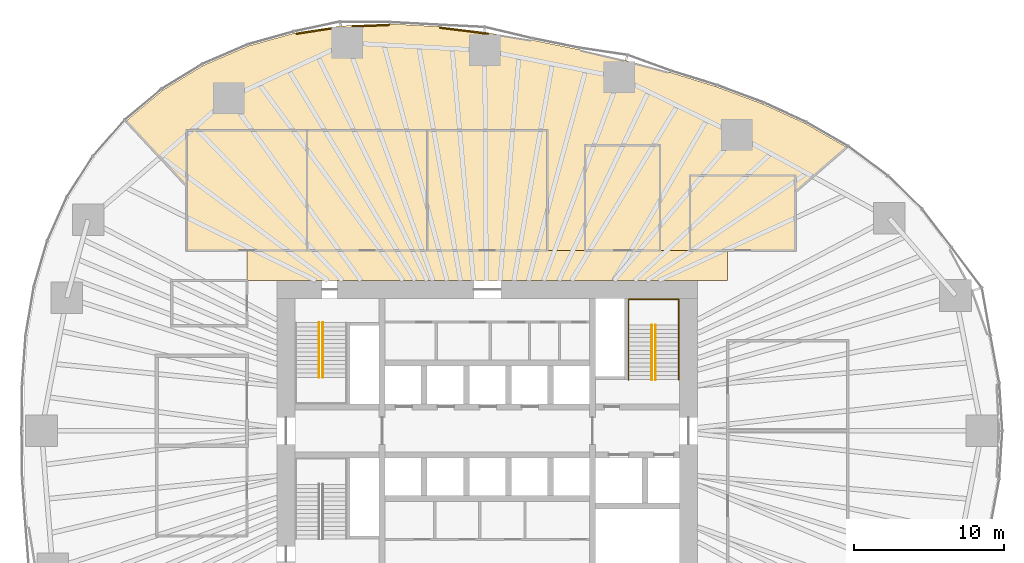
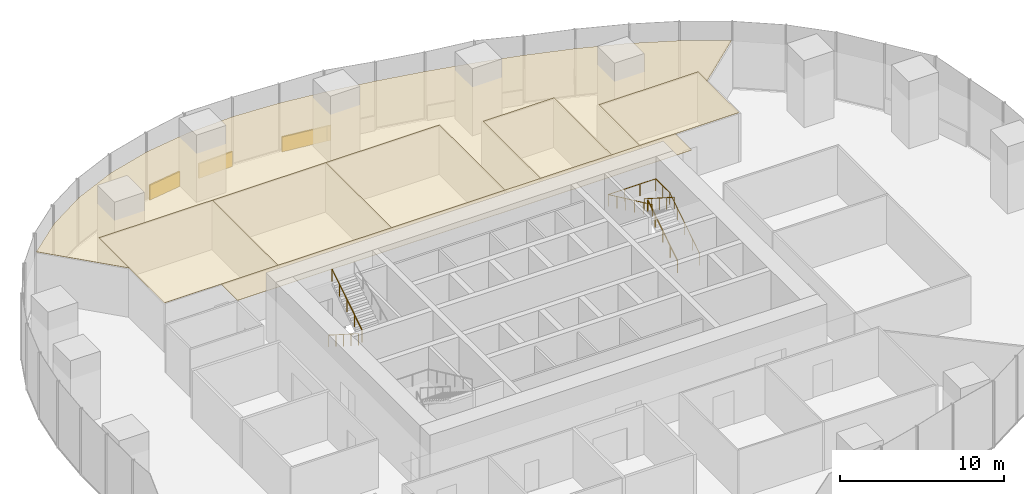
# One storey, part 19 of 20: 11 coverings, 5 railings.
"""IFC4 building model written with IfcOpenShell, lengths in metres."""

from ifc_helpers import new_model, si_unit, direction, frame, origin, origin_2d, place, context, subcontext, project, spatial, polyline, rectangle, circle, outline, extrude, material, layer, layer_set, type_object, element, save


model = new_model("IFC4")

# Units and contexts
model_context = context("Model", 3, precision=1e-05, world=origin(), true_north=direction((0.0, 1.0)))
body_context = subcontext(model_context, "Body", "Model", "MODEL_VIEW")
ifc_project = project(units=[si_unit("LENGTHUNIT", "METRE"), si_unit("AREAUNIT", "SQUARE_METRE"), si_unit("VOLUMEUNIT", "CUBIC_METRE"), si_unit("PLANEANGLEUNIT", "RADIAN"), si_unit("MASSUNIT", "GRAM", prefix="KILO")], contexts=[model_context])

# Site, building, storey
site_placement = place(None, origin())
site = spatial("IfcSite", under=ifc_project, at=site_placement, CompositionType="ELEMENT")
building_placement = place(site_placement, origin())
building = spatial("IfcBuilding", under=site, at=building_placement, Name="Ghaith Harvest Tower", CompositionType="ELEMENT")
storey_placement = place(building_placement, frame((0.0, 0.0, 30.0)))
storey = spatial("IfcBuildingStorey", under=building, at=storey_placement, Name="L06", CompositionType="ELEMENT", Elevation=30.0)

# Coverings
ifc_material_1 = material(Name="Mineral fibre ceiling tile", Category="gypsum")
ifc_layer_1 = layer(ifc_material_1, 0.02490234375)
ifc_layer_set_1 = layer_set([ifc_layer_1], Name="CEILING C2")
covering_type_1 = type_object("IfcCoveringType", Name="CEILING C2", PredefinedType="CEILING", material=ifc_layer_set_1)
covering_1_placement = place(storey_placement, frame((0.0, 0.0, 3.60009765625)))
element("IfcCovering", 1, at=covering_1_placement, inside=storey, type_object=covering_type_1, Name="Ceiling L06-01", PredefinedType="CEILING", context=body_context, shape_type="SweptSolid", body=[
    extrude(outline(polyline([(-20.0, 12.0), (-12.0, 12.0), (-12.0, 20.0), (-20.0, 20.0), (-20.0, 12.0)])), origin(), (0.0, 0.0, 1.0), 0.02490234375),
])
covering_2_placement = place(storey_placement, frame((0.0, 0.0, 3.60009765625)))
element("IfcCovering", 2, at=covering_2_placement, inside=storey, type_object=covering_type_1, Name="Ceiling L06-02", PredefinedType="CEILING", context=body_context, shape_type="SweptSolid", body=[
    extrude(outline(polyline([(-12.0, 12.0), (-4.0, 12.0), (-4.0, 20.0), (-12.0, 20.0), (-12.0, 12.0)])), origin(), (0.0, 0.0, 1.0), 0.02490234375),
])
covering_3_placement = place(storey_placement, frame((0.0, 0.0, 3.60009765625)))
element("IfcCovering", 3, at=covering_3_placement, inside=storey, type_object=covering_type_1, Name="Ceiling L06-03", PredefinedType="CEILING", context=body_context, shape_type="SweptSolid", body=[
    extrude(outline(polyline([(-4.0, 12.0), (4.0, 12.0), (4.0, 20.0), (-4.0, 20.0), (-4.0, 12.0)])), origin(), (0.0, 0.0, 1.0), 0.02490234375),
])
covering_4_placement = place(storey_placement, frame((0.0, 0.0, 3.60009765625)))
element("IfcCovering", 4, at=covering_4_placement, inside=storey, type_object=covering_type_1, Name="Ceiling L06-04", PredefinedType="CEILING", context=body_context, shape_type="SweptSolid", body=[
    extrude(outline(polyline([(6.5, 12.0), (11.5, 12.0), (11.5, 19.0), (6.5, 19.0), (6.5, 12.0)])), origin(), (0.0, 0.0, 1.0), 0.02490234375),
])
covering_5_placement = place(storey_placement, frame((0.0, 0.0, 3.60009765625)))
element("IfcCovering", 5, at=covering_5_placement, inside=storey, type_object=covering_type_1, Name="Ceiling L06-14", PredefinedType="CEILING", context=body_context, shape_type="SweptSolid", body=[
    extrude(outline(polyline([(13.5, 12.0), (20.5, 12.0), (20.5, 17.0), (13.5, 17.0), (13.5, 12.0)])), origin(), (0.0, 0.0, 1.0), 0.02490234375),
])
covering_6_placement = place(storey_placement, frame((0.0, 0.0, 3.60009765625)))
element("IfcCovering", 6, at=covering_6_placement, inside=storey, type_object=covering_type_1, Name="Ceiling L06-C1", PredefinedType="CEILING", context=body_context, shape_type="SweptSolid", body=[
    extrude(outline(polyline([(16.0, 10.0), (-16.0, 10.0), (-16.0, 12.0), (16.0, 12.0), (16.0, 10.0)])), origin(), (0.0, 0.0, 1.0), 0.02490234375),
])
covering_7_placement = place(storey_placement, frame((0.0, 0.0, 3.60009765625)))
element("IfcCovering", 7, at=covering_7_placement, inside=storey, type_object=covering_type_1, Name="Ceiling L06-N1", PredefinedType="CEILING", context=body_context, shape_type="SweptSolid", body=[
    extrude(outline(polyline([(-21.59912109375, 22.671142578125), (-18.8935546875, 24.32763671875), (-15.907958984375, 25.614501953125), (-12.828125, 26.476806640625), (-9.733642578125, 26.949951171875), (-6.4375, 27.0849609375), (-3.24755859375, 26.91064453125), (-0.181396484375, 26.527099609375), (2.99560546875, 26.004150390625), (6.10888671875, 25.378662109375), (9.21533203125, 24.65087890625), (12.1796875, 23.857666015625), (15.22119140625, 22.916259765625), (18.34521484375, 21.7548828125), (21.149169921875, 20.469482421875), (23.92431640625, 18.873046875), (20.5, 15.903076171875), (20.5, 17.0), (13.5, 17.0), (13.5, 12.0), (11.5, 12.0), (11.5, 19.0), (6.5, 19.0), (6.5, 12.0), (4.0, 12.0), (4.0, 20.0), (-20.0, 20.0), (-20.0, 16.283203125), (-24.04833984375, 20.618408203125), (-21.59912109375, 22.671142578125)])), origin(), (0.0, 0.0, 1.0), 0.02490234375),
])

# Railings
ifc_material_2 = material(Name="Steel, black powder-coated", Category="steel")
railing_type = type_object("IfcRailingType", Name="HANDRAIL HR1", PredefinedType="HANDRAIL", material=ifc_material_2)
railing_1_placement = place(storey_placement, frame((-11.199951171875, 7.199951171875, 0.178466796875)))
element("IfcRailing", 8, at=railing_1_placement, inside=storey, type_object=railing_type, Name="Handrail HR1 stair ST1 L06 flight 1 inner", PredefinedType="HANDRAIL", context=body_context, shape_type="SweptSolid", body=[
    extrude(circle(Radius=0.02392578125, at=origin_2d()), frame((0.0, 0.0, 0.8759765625), z_axis=(0.0, -0.843111507901, 0.53773877045), x_axis=(1.0, 0.0, 0.0)), (0.0, 0.0, 1.0), 4.317138671875),
    extrude(circle(Radius=0.02099609375, at=origin_2d()), origin(), (0.0, 0.0, 1.0), 0.851806640625),
    extrude(circle(Radius=0.02099609375, at=origin_2d()), frame((0.0, -0.909912109375, 0.580322265625)), (0.0, 0.0, 1.0), 0.851806640625),
    extrude(circle(Radius=0.02099609375, at=origin_2d()), frame((0.0, -1.81982421875, 1.16064453125)), (0.0, 0.0, 1.0), 0.851806640625),
    extrude(circle(Radius=0.02099609375, at=origin_2d()), frame((0.0, -2.72998046875, 1.7412109375)), (0.0, 0.0, 1.0), 0.851806640625),
    extrude(circle(Radius=0.02099609375, at=origin_2d()), frame((0.0, -3.639892578125, 2.321533203125)), (0.0, 0.0, 1.0), 0.851806640625),
])
railing_2_placement = place(storey_placement, frame((-10.949951171875, 3.56005859375, 2.678466796875)))
element("IfcRailing", 9, at=railing_2_placement, inside=storey, type_object=railing_type, Name="Handrail HR1 stair ST1 L06 flight 2 inner", PredefinedType="HANDRAIL", context=body_context, shape_type="SweptSolid", body=[
    extrude(circle(Radius=0.02392578125, at=origin_2d()), frame((0.0, 0.0, 0.8759765625), z_axis=(0.0, 0.843111507901, 0.53773877045), x_axis=(-1.0, 0.0, 0.0)), (0.0, 0.0, 1.0), 4.317138671875),
    extrude(circle(Radius=0.02099609375, at=origin_2d()), origin(), (0.0, 0.0, 1.0), 0.851806640625),
    extrude(circle(Radius=0.02099609375, at=origin_2d()), frame((0.0, 0.909912109375, 0.580322265625)), (0.0, 0.0, 1.0), 0.851806640625),
    extrude(circle(Radius=0.02099609375, at=origin_2d()), frame((0.0, 1.81982421875, 1.16064453125)), (0.0, 0.0, 1.0), 0.851806640625),
    extrude(circle(Radius=0.02099609375, at=origin_2d()), frame((0.0, 2.72998046875, 1.7412109375)), (0.0, 0.0, 1.0), 0.851806640625),
    extrude(circle(Radius=0.02099609375, at=origin_2d()), frame((0.0, 3.639892578125, 2.321533203125)), (0.0, 0.0, 1.0), 0.851806640625),
])
railing_3_placement = place(storey_placement, frame((11.199951171875, 3.39990234375, 0.178466796875)))
element("IfcRailing", 10, at=railing_3_placement, inside=storey, type_object=railing_type, Name="Handrail HR1 stair ST2 L06 flight 1 inner", PredefinedType="HANDRAIL", context=body_context, shape_type="SweptSolid", body=[
    extrude(circle(Radius=0.02392578125, at=origin_2d()), frame((0.0, 0.0, 0.8759765625), z_axis=(0.0, 0.843127859045, 0.537713132908), x_axis=(-1.0, 0.0, 0.0)), (0.0, 0.0, 1.0), 4.3173828125),
    extrude(circle(Radius=0.02099609375, at=origin_2d()), origin(), (0.0, 0.0, 1.0), 0.851806640625),
    extrude(circle(Radius=0.02099609375, at=origin_2d()), frame((0.0, 0.91015625, 0.580322265625)), (0.0, 0.0, 1.0), 0.851806640625),
    extrude(circle(Radius=0.02099609375, at=origin_2d()), frame((0.0, 1.820068359375, 1.16064453125)), (0.0, 0.0, 1.0), 0.851806640625),
    extrude(circle(Radius=0.02099609375, at=origin_2d()), frame((0.0, 2.72998046875, 1.7412109375)), (0.0, 0.0, 1.0), 0.851806640625),
    extrude(circle(Radius=0.02099609375, at=origin_2d()), frame((0.0, 3.64013671875, 2.321533203125)), (0.0, 0.0, 1.0), 0.851806640625),
])
railing_4_placement = place(storey_placement, frame((10.949951171875, 7.0400390625, 2.678466796875)))
element("IfcRailing", 11, at=railing_4_placement, inside=storey, type_object=railing_type, Name="Handrail HR1 stair ST2 L06 flight 2 inner", PredefinedType="HANDRAIL", context=body_context, shape_type="SweptSolid", body=[
    extrude(circle(Radius=0.02392578125, at=origin_2d()), frame((0.0, 0.0, 0.8759765625), z_axis=(0.0, -0.843127859045, 0.537713132908), x_axis=(1.0, 0.0, 0.0)), (0.0, 0.0, 1.0), 4.3173828125),
    extrude(circle(Radius=0.02099609375, at=origin_2d()), origin(), (0.0, 0.0, 1.0), 0.851806640625),
    extrude(circle(Radius=0.02099609375, at=origin_2d()), frame((0.0, -0.91015625, 0.580322265625)), (0.0, 0.0, 1.0), 0.851806640625),
    extrude(circle(Radius=0.02099609375, at=origin_2d()), frame((0.0, -1.820068359375, 1.16064453125)), (0.0, 0.0, 1.0), 0.851806640625),
    extrude(circle(Radius=0.02099609375, at=origin_2d()), frame((0.0, -2.72998046875, 1.7412109375)), (0.0, 0.0, 1.0), 0.851806640625),
    extrude(circle(Radius=0.02099609375, at=origin_2d()), frame((0.0, -3.64013671875, 2.321533203125)), (0.0, 0.0, 1.0), 0.851806640625),
])
railing_5_placement = place(storey_placement, frame((12.75, 3.39990234375, 0.178466796875)))
element("IfcRailing", 12, at=railing_5_placement, inside=storey, type_object=railing_type, Name="Handrail HR1 stair ST2 L06 wall side", PredefinedType="HANDRAIL", context=body_context, shape_type="SweptSolid", body=[
    extrude(circle(Radius=0.02392578125, at=origin_2d()), frame((0.0, 0.0, 0.8759765625), z_axis=(0.0, 0.843127859045, 0.537713132908), x_axis=(-1.0, 0.0, 0.0)), (0.0, 0.0, 1.0), 4.3173828125),
    extrude(circle(Radius=0.02392578125, at=origin_2d()), frame((0.0, 3.64013671875, 3.197265625), z_axis=(0.0, 1.0, 0.0), x_axis=(-1.0, 0.0, 0.0)), (0.0, 0.0, 1.0), 1.7099609375),
    extrude(circle(Radius=0.02392578125, at=origin_2d()), frame((0.0, 5.35009765625, 3.197265625), z_axis=(-1.0, 0.0, 0.0), x_axis=(0.0, -1.0, 0.0)), (0.0, 0.0, 1.0), 3.35009765625),
    extrude(circle(Radius=0.02392578125, at=origin_2d()), frame((-3.35009765625, 5.35009765625, 3.197265625), z_axis=(0.0, -0.905969675553, 0.423342588193), x_axis=(1.0, 0.0, 0.0)), (0.0, 0.0, 1.0), 5.9052734375),
    extrude(circle(Radius=0.02099609375, at=origin_2d()), origin(), (0.0, 0.0, 1.0), 0.851806640625),
    extrude(circle(Radius=0.02099609375, at=origin_2d()), frame((0.0, 0.91015625, 0.580322265625)), (0.0, 0.0, 1.0), 0.851806640625),
    extrude(circle(Radius=0.02099609375, at=origin_2d()), frame((0.0, 1.820068359375, 1.16064453125)), (0.0, 0.0, 1.0), 0.851806640625),
    extrude(circle(Radius=0.02099609375, at=origin_2d()), frame((0.0, 2.72998046875, 1.7412109375)), (0.0, 0.0, 1.0), 0.851806640625),
    extrude(circle(Radius=0.02099609375, at=origin_2d()), frame((0.0, 3.64013671875, 2.321533203125)), (0.0, 0.0, 1.0), 0.851806640625),
    extrude(circle(Radius=0.02099609375, at=origin_2d()), frame((0.0, 4.4951171875, 2.321533203125)), (0.0, 0.0, 1.0), 0.851806640625),
    extrude(circle(Radius=0.02099609375, at=origin_2d()), frame((0.0, 5.35009765625, 2.321533203125)), (0.0, 0.0, 1.0), 0.851806640625),
    extrude(circle(Radius=0.02099609375, at=origin_2d()), frame((-1.11669921875, 5.35009765625, 2.321533203125)), (0.0, 0.0, 1.0), 0.851806640625),
    extrude(circle(Radius=0.02099609375, at=origin_2d()), frame((-2.2333984375, 5.35009765625, 2.321533203125)), (0.0, 0.0, 1.0), 0.851806640625),
    extrude(circle(Radius=0.02099609375, at=origin_2d()), frame((-3.35009765625, 5.35009765625, 2.321533203125)), (0.0, 0.0, 1.0), 0.851806640625),
    extrude(circle(Radius=0.02099609375, at=origin_2d()), frame((-3.35009765625, 4.280029296875, 2.821533203125)), (0.0, 0.0, 1.0), 0.851806640625),
    extrude(circle(Radius=0.02099609375, at=origin_2d()), frame((-3.35009765625, 3.2099609375, 3.321533203125)), (0.0, 0.0, 1.0), 0.851806640625),
    extrude(circle(Radius=0.02099609375, at=origin_2d()), frame((-3.35009765625, 2.14013671875, 3.821533203125)), (0.0, 0.0, 1.0), 0.851806640625),
    extrude(circle(Radius=0.02099609375, at=origin_2d()), frame((-3.35009765625, 1.070068359375, 4.321533203125)), (0.0, 0.0, 1.0), 0.851806640625),
    extrude(circle(Radius=0.02099609375, at=origin_2d()), frame((-3.35009765625, 0.0, 4.821533203125)), (0.0, 0.0, 1.0), 0.851806640625),
])

# Coverings
ifc_material_3 = material(Name="Insulated aluminium spandrel panel on steel framing", Category="steel")
ifc_layer_2 = layer(ifc_material_3, 0.10009765625)
ifc_layer_set_2 = layer_set([ifc_layer_2], Name="SLAB EDGE UPSTAND 1100x100")
covering_type_2 = type_object("IfcCoveringType", Name="SLAB EDGE UPSTAND 1100x100", PredefinedType="CLADDING", material=ifc_layer_set_2)
covering_8_placement = place(storey_placement, frame((-0.063720703125, 26.45703125, 0.0), z_axis=(0.0, 0.0, 1.0), x_axis=(-0.986716247541, 0.162453214305, 0.0)))
element("IfcCovering", 13, at=covering_8_placement, inside=storey, type_object=covering_type_2, Name="Slab edge upstand 3 bay 05 L06", PredefinedType="CLADDING", context=body_context, shape_type="SweptSolid", body=[
    extrude(rectangle(XDim=0.255126953125, YDim=0.10009765625, at=origin_2d()), origin(), (0.0, 0.0, 1.0), 1.10009765625),
])
covering_9_placement = place(storey_placement, frame((-1.671142578125, 26.6630859375, 0.0), z_axis=(0.0, 0.0, 1.0), x_axis=(-0.99226486887, 0.124138753038, 0.0)))
element("IfcCovering", 14, at=covering_9_placement, inside=storey, type_object=covering_type_2, Name="Slab edge upstand 1 bay 06 L06", PredefinedType="CLADDING", context=body_context, shape_type="SweptSolid", body=[
    extrude(rectangle(XDim=2.98974609375, YDim=0.10009765625, at=origin_2d()), origin(), (0.0, 0.0, 1.0), 1.10009765625),
])
covering_10_placement = place(storey_placement, frame((-7.75537109375, 26.98095703125, 0.0), z_axis=(0.0, 0.0, 1.0), x_axis=(-0.999160890982, -0.040957464901, 0.0)))
element("IfcCovering", 15, at=covering_10_placement, inside=storey, type_object=covering_type_2, Name="Slab edge upstand 3 bay 06 L06", PredefinedType="CLADDING", context=body_context, shape_type="SweptSolid", body=[
    extrude(rectangle(XDim=2.44189453125, YDim=0.10009765625, at=origin_2d()), origin(), (0.0, 0.0, 1.0), 1.10009765625),
])
covering_11_placement = place(storey_placement, frame((-11.5576171875, 26.62060546875, 0.0), z_axis=(0.0, 0.0, 1.0), x_axis=(-0.988517924816, -0.1511036476, 0.0)))
element("IfcCovering", 16, at=covering_11_placement, inside=storey, type_object=covering_type_2, Name="Slab edge upstand 1 bay 07 L06", PredefinedType="CLADDING", context=body_context, shape_type="SweptSolid", body=[
    extrude(rectangle(XDim=2.355224609375, YDim=0.10009765625, at=origin_2d()), origin(), (0.0, 0.0, 1.0), 1.10009765625),
])

save(model, "model.ifc")
